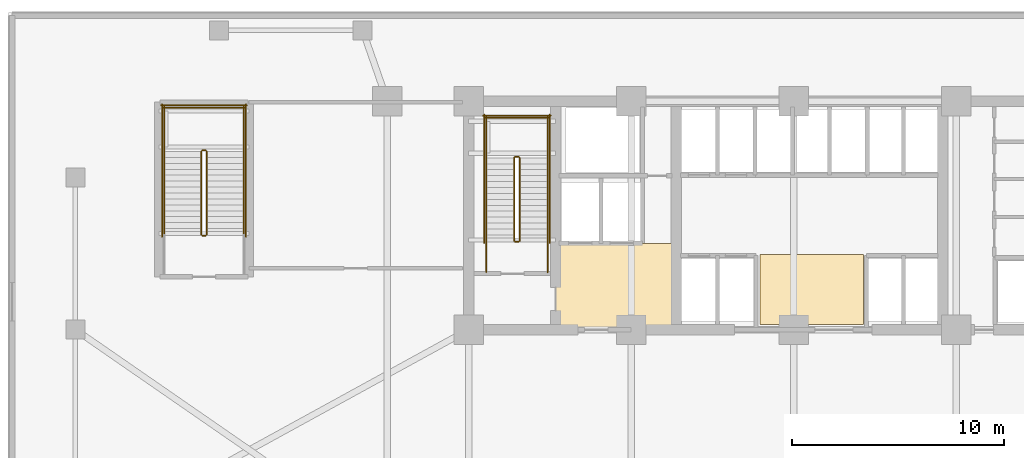
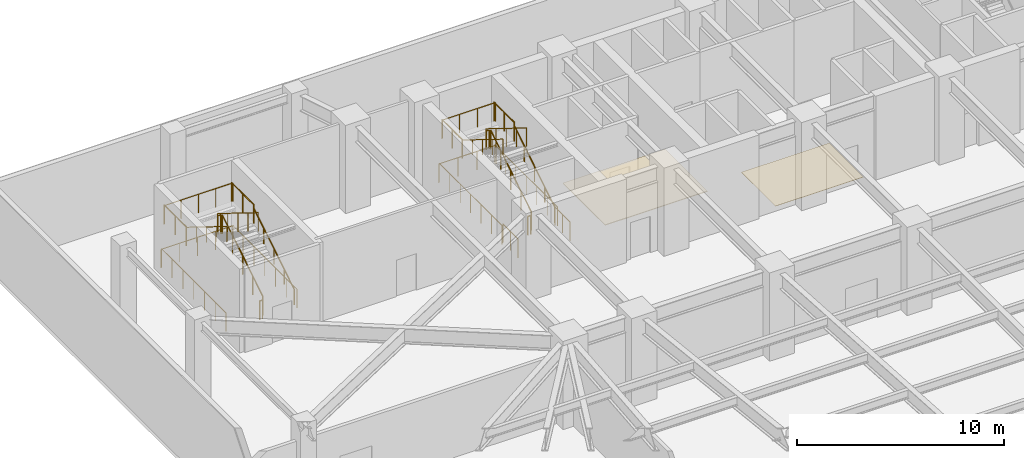
# One storey, part 12 of 15: 26 railings, 2 coverings.
"""IFC4 building model written with IfcOpenShell, lengths in metres."""

from ifc_helpers import new_model, si_unit, direction, frame, origin, origin_2d, place, context, subcontext, project, spatial, polyline, circle, outline, extrude, material, layer, layer_set, type_object, element, save


model = new_model("IFC4")

# Units and contexts
model_context = context("Model", 3, precision=1e-05, world=origin(), true_north=direction((0.0, 1.0)))
body_context = subcontext(model_context, "Body", "Model", "MODEL_VIEW")
ifc_project = project(units=[si_unit("LENGTHUNIT", "METRE"), si_unit("AREAUNIT", "SQUARE_METRE"), si_unit("VOLUMEUNIT", "CUBIC_METRE"), si_unit("PLANEANGLEUNIT", "RADIAN"), si_unit("MASSUNIT", "GRAM", prefix="KILO")], contexts=[model_context])

# Site, building, storey
site_placement = place(None, origin())
site = spatial("IfcSite", under=ifc_project, at=site_placement, CompositionType="ELEMENT")
building_placement = place(site_placement, origin())
building = spatial("IfcBuilding", under=site, at=building_placement, Name="Yelkora Congress Tower", CompositionType="ELEMENT")
storey_placement = place(building_placement, frame((0.0, 0.0, 10.39990234375)))
storey = spatial("IfcBuildingStorey", under=building, at=storey_placement, Name="L02", CompositionType="ELEMENT", Elevation=10.39990234375)

# Coverings
ifc_material_1 = material(Name="Perforated mineral-fibre acoustic ceiling", Category="gypsum")
ifc_layer_1 = layer(ifc_material_1, 0.0400390625)
ifc_layer_set_1 = layer_set([ifc_layer_1], Name="Perforated mineral-fibre acoustic ceiling")
covering_type_1 = type_object("IfcCoveringType", Name="COV-CEIL-ACOUSTIC-40", PredefinedType="CEILING", material=ifc_layer_set_1)
covering_1_placement = place(storey_placement, frame((0.0, 0.0, 2.400146484375)))
element("IfcCovering", 1, at=covering_1_placement, inside=storey, type_object=covering_type_1, Name="L02 Firefighting Lobby Acoustic Ceiling", PredefinedType="CEILING", context=body_context, shape_type="SweptSolid", body=[
    extrude(outline(polyline([(27.14990234375, 35.39990234375), (32.85009765625, 35.39990234375), (32.85009765625, 39.47998046875), (27.14990234375, 39.47998046875), (27.14990234375, 35.39990234375)])), origin(), (0.0, 0.0, 1.0), 0.0400390625),
])
ifc_material_2 = material(Name="Polished Anatolian grey granite tile", Category="masonry")
ifc_layer_2 = layer(ifc_material_2, 0.02001953125)
ifc_layer_set_2 = layer_set([ifc_layer_2], Name="Polished Anatolian grey granite tile")
covering_type_2 = type_object("IfcCoveringType", Name="COV-FLOOR-GRANITE-20", PredefinedType="FLOORING", material=ifc_layer_set_2)
covering_2_placement = place(storey_placement, origin())
element("IfcCovering", 2, at=covering_2_placement, inside=storey, type_object=covering_type_2, Name="L02 Lift Lobby Granite Flooring", PredefinedType="FLOORING", context=body_context, shape_type="SweptSolid", body=[
    extrude(outline(polyline([(36.800048828125, 35.64990234375), (41.699951171875, 35.64990234375), (41.699951171875, 38.949951171875), (36.800048828125, 38.949951171875), (36.800048828125, 35.64990234375)])), origin(), (0.0, 0.0, 1.0), 0.02001953125),
])

# Railings
ifc_material_3 = material(Name="Painted galvanised steel stair well guard with vertical infill", Category="steel")
ifc_layer_3 = layer(ifc_material_3, 0.06005859375)
ifc_layer_set_3 = layer_set([ifc_layer_3], Name="Painted galvanised steel stair well guard with vertical infill")
railing_type_1 = type_object("IfcRailingType", Name="RAIL-STAIR-GUARD-1120", PredefinedType="GUARDRAIL", material=ifc_layer_set_3)
railing_1_placement = place(storey_placement, frame((25.449951171875, 39.60009765625, 0.17333984375)))
element("IfcRailing", 3, at=railing_1_placement, inside=storey, type_object=railing_type_1, Name="ST-01 L02 Stair Well Guardrail 1", PredefinedType="GUARDRAIL", context=body_context, shape_type="SweptSolid", body=[
    extrude(circle(Radius=0.02392578125, at=origin_2d()), frame((0.0, 0.0, 1.09619140625), z_axis=(0.0, 0.850251603719, 0.526376491091), x_axis=(-1.0, 0.0, 0.0)), (0.0, 0.0, 1.0), 4.6103515625),
    extrude(circle(Radius=0.02099609375, at=origin_2d()), origin(), (0.0, 0.0, 1.0), 1.072021484375),
    extrude(circle(Radius=0.02099609375, at=origin_2d()), frame((0.0, 0.97998046875, 0.606689453125)), (0.0, 0.0, 1.0), 1.072021484375),
    extrude(circle(Radius=0.02099609375, at=origin_2d()), frame((0.0, 1.9599609375, 1.21337890625)), (0.0, 0.0, 1.0), 1.072021484375),
    extrude(circle(Radius=0.02099609375, at=origin_2d()), frame((0.0, 2.93994140625, 1.820068359375)), (0.0, 0.0, 1.0), 1.072021484375),
    extrude(circle(Radius=0.02099609375, at=origin_2d()), frame((0.0, 3.919921875, 2.4267578125)), (0.0, 0.0, 1.0), 1.072021484375),
])
railing_2_placement = place(storey_placement, frame((25.39990234375, 43.570068359375, 2.60009765625)))
element("IfcRailing", 4, at=railing_2_placement, inside=storey, type_object=railing_type_1, Name="ST-01 L02 Stair Well Guardrail 2", PredefinedType="GUARDRAIL", context=body_context, shape_type="SweptSolid", body=[
    extrude(circle(Radius=0.02392578125, at=origin_2d()), frame((0.0, 0.0, 1.09619140625), z_axis=(-1.0, 0.0, 0.0), x_axis=(0.0, -1.0, 0.0)), (0.0, 0.0, 1.0), 0.159912109375),
    extrude(circle(Radius=0.02099609375, at=origin_2d()), origin(), (0.0, 0.0, 1.0), 1.072021484375),
    extrude(circle(Radius=0.02099609375, at=origin_2d()), frame((-0.159912109375, 0.0, 0.0)), (0.0, 0.0, 1.0), 1.072021484375),
])
for number, where, name in (
    (5, (26.77001953125, 43.52001953125, 2.60009765625), "ST-01 L02 Stair Well Guardrail 3"),
    (6, (23.8701171875, 43.52001953125, 2.60009765625), "ST-01 L02 Stair Well Guardrail 4"),
):
    element("IfcRailing", number, at=place(storey_placement, frame(where)), inside=storey, type_object=railing_type_1, Name=name, PredefinedType="GUARDRAIL", context=body_context, shape_type="SweptSolid", body=[
        extrude(circle(Radius=0.02392578125, at=origin_2d()), frame((0.0, 0.0, 1.09619140625), z_axis=(0.0, 1.0, 0.0), x_axis=(-1.0, 0.0, 0.0)), (0.0, 0.0, 1.0), 1.949951171875),
        extrude(circle(Radius=0.02099609375, at=origin_2d()), origin(), (0.0, 0.0, 1.0), 1.072021484375),
        extrude(circle(Radius=0.02099609375, at=origin_2d()), frame((0.0, 0.97509765625, 0.0)), (0.0, 0.0, 1.0), 1.072021484375),
        extrude(circle(Radius=0.02099609375, at=origin_2d()), frame((0.0, 1.949951171875, 0.0)), (0.0, 0.0, 1.0), 1.072021484375),
    ])
railing_3_placement = place(storey_placement, frame((26.820068359375, 45.419921875, 2.60009765625)))
element("IfcRailing", 7, at=railing_3_placement, inside=storey, type_object=railing_type_1, Name="ST-01 L02 Stair Well Guardrail 5", PredefinedType="GUARDRAIL", context=body_context, shape_type="SweptSolid", body=[
    extrude(circle(Radius=0.02392578125, at=origin_2d()), frame((0.0, 0.0, 1.09619140625), z_axis=(-1.0, 0.0, 0.0), x_axis=(0.0, -1.0, 0.0)), (0.0, 0.0, 1.0), 3.0),
    extrude(circle(Radius=0.02099609375, at=origin_2d()), origin(), (0.0, 0.0, 1.0), 1.072021484375),
    extrude(circle(Radius=0.02099609375, at=origin_2d()), frame((-1.0, 0.0, 0.0)), (0.0, 0.0, 1.0), 1.072021484375),
    extrude(circle(Radius=0.02099609375, at=origin_2d()), frame((-2.0, 0.0, 0.0)), (0.0, 0.0, 1.0), 1.072021484375),
    extrude(circle(Radius=0.02099609375, at=origin_2d()), frame((-3.0, 0.0, 0.0)), (0.0, 0.0, 1.0), 1.072021484375),
])
railing_4_placement = place(storey_placement, frame((25.18994140625, 43.52001953125, 2.7734375)))
element("IfcRailing", 8, at=railing_4_placement, inside=storey, type_object=railing_type_1, Name="ST-01 L02 Stair Well Guardrail 6", PredefinedType="GUARDRAIL", context=body_context, shape_type="SweptSolid", body=[
    extrude(circle(Radius=0.02392578125, at=origin_2d()), frame((0.0, 0.0, 1.09619140625), z_axis=(0.0, -0.850251603719, 0.526376491091), x_axis=(1.0, 0.0, 0.0)), (0.0, 0.0, 1.0), 4.6103515625),
    extrude(circle(Radius=0.02099609375, at=origin_2d()), origin(), (0.0, 0.0, 1.0), 1.072021484375),
    extrude(circle(Radius=0.02099609375, at=origin_2d()), frame((0.0, -0.97998046875, 0.606689453125)), (0.0, 0.0, 1.0), 1.072021484375),
    extrude(circle(Radius=0.02099609375, at=origin_2d()), frame((0.0, -1.9599609375, 1.21337890625)), (0.0, 0.0, 1.0), 1.072021484375),
    extrude(circle(Radius=0.02099609375, at=origin_2d()), frame((0.0, -2.93994140625, 1.820068359375)), (0.0, 0.0, 1.0), 1.072021484375),
    extrude(circle(Radius=0.02099609375, at=origin_2d()), frame((0.0, -3.919921875, 2.4267578125)), (0.0, 0.0, 1.0), 1.072021484375),
])
railing_5_placement = place(storey_placement, frame((25.39990234375, 39.550048828125, 0.0)))
element("IfcRailing", 9, at=railing_5_placement, inside=storey, type_object=railing_type_1, Name="ST-01 L02 Stair Well Guardrail 7", PredefinedType="GUARDRAIL", context=body_context, shape_type="SweptSolid", body=[
    extrude(circle(Radius=0.02392578125, at=origin_2d()), frame((0.0, 0.0, 1.09619140625), z_axis=(-1.0, 0.0, 0.0), x_axis=(0.0, -1.0, 0.0)), (0.0, 0.0, 1.0), 0.159912109375),
    extrude(circle(Radius=0.02099609375, at=origin_2d()), origin(), (0.0, 0.0, 1.0), 1.072021484375),
    extrude(circle(Radius=0.02099609375, at=origin_2d()), frame((-0.159912109375, 0.0, 0.0)), (0.0, 0.0, 1.0), 1.072021484375),
])
for number, where, name in (
    (10, (26.77001953125, 38.1201171875, 0.0), "ST-01 L02 Stair Well Guardrail 8"),
    (11, (23.8701171875, 38.1201171875, 0.0), "ST-01 L02 Stair Well Guardrail 9"),
):
    element("IfcRailing", number, at=place(storey_placement, frame(where)), inside=storey, type_object=railing_type_1, Name=name, PredefinedType="GUARDRAIL", context=body_context, shape_type="SweptSolid", body=[
        extrude(circle(Radius=0.02392578125, at=origin_2d()), frame((0.0, 0.0, 1.09619140625), z_axis=(0.0, 1.0, 0.0), x_axis=(-1.0, 0.0, 0.0)), (0.0, 0.0, 1.0), 1.47998046875),
        extrude(circle(Radius=0.02099609375, at=origin_2d()), origin(), (0.0, 0.0, 1.0), 1.072021484375),
        extrude(circle(Radius=0.02099609375, at=origin_2d()), frame((0.0, 0.739990234375, 0.0)), (0.0, 0.0, 1.0), 1.072021484375),
        extrude(circle(Radius=0.02099609375, at=origin_2d()), frame((0.0, 1.47998046875, 0.0)), (0.0, 0.0, 1.0), 1.072021484375),
    ])
for number, where, name in (
    (12, (26.8701171875, 39.5, 0.0), "ST-01 L02 Stair Well Guardrail 10"),
    (13, (23.77001953125, 39.5, 0.0), "ST-01 L02 Stair Well Guardrail 11"),
):
    element("IfcRailing", number, at=place(storey_placement, frame(where)), inside=storey, type_object=railing_type_1, Name=name, PredefinedType="GUARDRAIL", context=body_context, shape_type="SweptSolid", body=[
        extrude(circle(Radius=0.02392578125, at=origin_2d()), frame((0.0, 0.0, 1.09619140625), z_axis=(0.0, 1.0, 0.0), x_axis=(-1.0, 0.0, 0.0)), (0.0, 0.0, 1.0), 6.070068359375),
        extrude(circle(Radius=0.02099609375, at=origin_2d()), origin(), (0.0, 0.0, 1.0), 1.072021484375),
        extrude(circle(Radius=0.02099609375, at=origin_2d()), frame((0.0, 1.01171875, 0.0)), (0.0, 0.0, 1.0), 1.072021484375),
        extrude(circle(Radius=0.02099609375, at=origin_2d()), frame((0.0, 2.0234375, 0.0)), (0.0, 0.0, 1.0), 1.072021484375),
        extrude(circle(Radius=0.02099609375, at=origin_2d()), frame((0.0, 3.03515625, 0.0)), (0.0, 0.0, 1.0), 1.072021484375),
        extrude(circle(Radius=0.02099609375, at=origin_2d()), frame((0.0, 4.046630859375, 0.0)), (0.0, 0.0, 1.0), 1.072021484375),
        extrude(circle(Radius=0.02099609375, at=origin_2d()), frame((0.0, 5.058349609375, 0.0)), (0.0, 0.0, 1.0), 1.072021484375),
        extrude(circle(Radius=0.02099609375, at=origin_2d()), frame((0.0, 6.070068359375, 0.0)), (0.0, 0.0, 1.0), 1.072021484375),
    ])
railing_6_placement = place(storey_placement, frame((26.919921875, 45.52001953125, 0.0)))
element("IfcRailing", 14, at=railing_6_placement, inside=storey, type_object=railing_type_1, Name="ST-01 L02 Stair Well Guardrail 12", PredefinedType="GUARDRAIL", context=body_context, shape_type="SweptSolid", body=[
    extrude(circle(Radius=0.02392578125, at=origin_2d()), frame((0.0, 0.0, 1.09619140625), z_axis=(-1.0, 0.0, 0.0), x_axis=(0.0, -1.0, 0.0)), (0.0, 0.0, 1.0), 3.199951171875),
    extrude(circle(Radius=0.02099609375, at=origin_2d()), origin(), (0.0, 0.0, 1.0), 1.072021484375),
    extrude(circle(Radius=0.02099609375, at=origin_2d()), frame((-1.066650390625, 0.0, 0.0)), (0.0, 0.0, 1.0), 1.072021484375),
    extrude(circle(Radius=0.02099609375, at=origin_2d()), frame((-2.13330078125, 0.0, 0.0)), (0.0, 0.0, 1.0), 1.072021484375),
    extrude(circle(Radius=0.02099609375, at=origin_2d()), frame((-3.199951171875, 0.0, 0.0)), (0.0, 0.0, 1.0), 1.072021484375),
])
railing_7_placement = place(storey_placement, frame((10.659912109375, 39.89990234375, 0.17333984375)))
element("IfcRailing", 15, at=railing_7_placement, inside=storey, type_object=railing_type_1, Name="ST-P1 L02 Stair Well Guardrail 1", PredefinedType="GUARDRAIL", context=body_context, shape_type="SweptSolid", body=[
    extrude(circle(Radius=0.02392578125, at=origin_2d()), frame((0.0, 0.0, 1.09619140625), z_axis=(0.0, 0.850266275192, 0.526352791643), x_axis=(-1.0, 0.0, 0.0)), (0.0, 0.0, 1.0), 4.610595703125),
    extrude(circle(Radius=0.02099609375, at=origin_2d()), origin(), (0.0, 0.0, 1.0), 1.072021484375),
    extrude(circle(Radius=0.02099609375, at=origin_2d()), frame((0.0, 0.97998046875, 0.606689453125)), (0.0, 0.0, 1.0), 1.072021484375),
    extrude(circle(Radius=0.02099609375, at=origin_2d()), frame((0.0, 1.9599609375, 1.21337890625)), (0.0, 0.0, 1.0), 1.072021484375),
    extrude(circle(Radius=0.02099609375, at=origin_2d()), frame((0.0, 2.940185546875, 1.820068359375)), (0.0, 0.0, 1.0), 1.072021484375),
    extrude(circle(Radius=0.02099609375, at=origin_2d()), frame((0.0, 3.920166015625, 2.4267578125)), (0.0, 0.0, 1.0), 1.072021484375),
])
railing_8_placement = place(storey_placement, frame((10.610107421875, 43.8701171875, 2.60009765625)))
element("IfcRailing", 16, at=railing_8_placement, inside=storey, type_object=railing_type_1, Name="ST-P1 L02 Stair Well Guardrail 2", PredefinedType="GUARDRAIL", context=body_context, shape_type="SweptSolid", body=[
    extrude(circle(Radius=0.02392578125, at=origin_2d()), frame((0.0, 0.0, 1.09619140625), z_axis=(-1.0, 0.0, 0.0), x_axis=(0.0, -1.0, 0.0)), (0.0, 0.0, 1.0), 0.16015625),
    extrude(circle(Radius=0.02099609375, at=origin_2d()), origin(), (0.0, 0.0, 1.0), 1.072021484375),
    extrude(circle(Radius=0.02099609375, at=origin_2d()), frame((-0.16015625, 0.0, 0.0)), (0.0, 0.0, 1.0), 1.072021484375),
])
for number, where, name in (
    (17, (12.409912109375, 43.820068359375, 2.60009765625), "ST-P1 L02 Stair Well Guardrail 3"),
    (18, (8.64990234375, 43.820068359375, 2.60009765625), "ST-P1 L02 Stair Well Guardrail 4"),
):
    element("IfcRailing", number, at=place(storey_placement, frame(where)), inside=storey, type_object=railing_type_1, Name=name, PredefinedType="GUARDRAIL", context=body_context, shape_type="SweptSolid", body=[
        extrude(circle(Radius=0.02392578125, at=origin_2d()), frame((0.0, 0.0, 1.09619140625), z_axis=(0.0, 1.0, 0.0), x_axis=(-1.0, 0.0, 0.0)), (0.0, 0.0, 1.0), 2.1298828125),
        extrude(circle(Radius=0.02099609375, at=origin_2d()), origin(), (0.0, 0.0, 1.0), 1.072021484375),
        extrude(circle(Radius=0.02099609375, at=origin_2d()), frame((0.0, 1.06494140625, 0.0)), (0.0, 0.0, 1.0), 1.072021484375),
        extrude(circle(Radius=0.02099609375, at=origin_2d()), frame((0.0, 2.1298828125, 0.0)), (0.0, 0.0, 1.0), 1.072021484375),
    ])
railing_9_placement = place(storey_placement, frame((12.4599609375, 45.89990234375, 2.60009765625)))
element("IfcRailing", 19, at=railing_9_placement, inside=storey, type_object=railing_type_1, Name="ST-P1 L02 Stair Well Guardrail 5", PredefinedType="GUARDRAIL", context=body_context, shape_type="SweptSolid", body=[
    extrude(circle(Radius=0.02392578125, at=origin_2d()), frame((0.0, 0.0, 1.09619140625), z_axis=(-1.0, 0.0, 0.0), x_axis=(0.0, -1.0, 0.0)), (0.0, 0.0, 1.0), 3.85986328125),
    extrude(circle(Radius=0.02099609375, at=origin_2d()), origin(), (0.0, 0.0, 1.0), 1.072021484375),
    extrude(circle(Radius=0.02099609375, at=origin_2d()), frame((-0.96484375, 0.0, 0.0)), (0.0, 0.0, 1.0), 1.072021484375),
    extrude(circle(Radius=0.02099609375, at=origin_2d()), frame((-1.929931640625, 0.0, 0.0)), (0.0, 0.0, 1.0), 1.072021484375),
    extrude(circle(Radius=0.02099609375, at=origin_2d()), frame((-2.89501953125, 0.0, 0.0)), (0.0, 0.0, 1.0), 1.072021484375),
    extrude(circle(Radius=0.02099609375, at=origin_2d()), frame((-3.85986328125, 0.0, 0.0)), (0.0, 0.0, 1.0), 1.072021484375),
])
railing_10_placement = place(storey_placement, frame((10.39990234375, 43.820068359375, 2.7734375)))
element("IfcRailing", 20, at=railing_10_placement, inside=storey, type_object=railing_type_1, Name="ST-P1 L02 Stair Well Guardrail 6", PredefinedType="GUARDRAIL", context=body_context, shape_type="SweptSolid", body=[
    extrude(circle(Radius=0.02392578125, at=origin_2d()), frame((0.0, 0.0, 1.09619140625), z_axis=(0.0, -0.850266275192, 0.526352791643), x_axis=(1.0, 0.0, 0.0)), (0.0, 0.0, 1.0), 4.610595703125),
    extrude(circle(Radius=0.02099609375, at=origin_2d()), origin(), (0.0, 0.0, 1.0), 1.072021484375),
    extrude(circle(Radius=0.02099609375, at=origin_2d()), frame((0.0, -0.97998046875, 0.606689453125)), (0.0, 0.0, 1.0), 1.072021484375),
    extrude(circle(Radius=0.02099609375, at=origin_2d()), frame((0.0, -1.9599609375, 1.21337890625)), (0.0, 0.0, 1.0), 1.072021484375),
    extrude(circle(Radius=0.02099609375, at=origin_2d()), frame((0.0, -2.940185546875, 1.820068359375)), (0.0, 0.0, 1.0), 1.072021484375),
    extrude(circle(Radius=0.02099609375, at=origin_2d()), frame((0.0, -3.920166015625, 2.4267578125)), (0.0, 0.0, 1.0), 1.072021484375),
])
railing_11_placement = place(storey_placement, frame((10.610107421875, 39.85009765625, 0.0)))
element("IfcRailing", 21, at=railing_11_placement, inside=storey, type_object=railing_type_1, Name="ST-P1 L02 Stair Well Guardrail 7", PredefinedType="GUARDRAIL", context=body_context, shape_type="SweptSolid", body=[
    extrude(circle(Radius=0.02392578125, at=origin_2d()), frame((0.0, 0.0, 1.09619140625), z_axis=(-1.0, 0.0, 0.0), x_axis=(0.0, -1.0, 0.0)), (0.0, 0.0, 1.0), 0.16015625),
    extrude(circle(Radius=0.02099609375, at=origin_2d()), origin(), (0.0, 0.0, 1.0), 1.072021484375),
    extrude(circle(Radius=0.02099609375, at=origin_2d()), frame((-0.16015625, 0.0, 0.0)), (0.0, 0.0, 1.0), 1.072021484375),
])
for number, where, name in (
    (22, (12.510009765625, 39.800048828125, 0.0), "ST-P1 L02 Stair Well Guardrail 10"),
    (23, (8.550048828125, 39.800048828125, 0.0), "ST-P1 L02 Stair Well Guardrail 11"),
):
    element("IfcRailing", number, at=place(storey_placement, frame(where)), inside=storey, type_object=railing_type_1, Name=name, PredefinedType="GUARDRAIL", context=body_context, shape_type="SweptSolid", body=[
        extrude(circle(Radius=0.02392578125, at=origin_2d()), frame((0.0, 0.0, 1.09619140625), z_axis=(0.0, 1.0, 0.0), x_axis=(-1.0, 0.0, 0.0)), (0.0, 0.0, 1.0), 6.25),
        extrude(circle(Radius=0.02099609375, at=origin_2d()), origin(), (0.0, 0.0, 1.0), 1.072021484375),
        extrude(circle(Radius=0.02099609375, at=origin_2d()), frame((0.0, 1.041748046875, 0.0)), (0.0, 0.0, 1.0), 1.072021484375),
        extrude(circle(Radius=0.02099609375, at=origin_2d()), frame((0.0, 2.083251953125, 0.0)), (0.0, 0.0, 1.0), 1.072021484375),
        extrude(circle(Radius=0.02099609375, at=origin_2d()), frame((0.0, 3.125, 0.0)), (0.0, 0.0, 1.0), 1.072021484375),
        extrude(circle(Radius=0.02099609375, at=origin_2d()), frame((0.0, 4.166748046875, 0.0)), (0.0, 0.0, 1.0), 1.072021484375),
        extrude(circle(Radius=0.02099609375, at=origin_2d()), frame((0.0, 5.208251953125, 0.0)), (0.0, 0.0, 1.0), 1.072021484375),
        extrude(circle(Radius=0.02099609375, at=origin_2d()), frame((0.0, 6.25, 0.0)), (0.0, 0.0, 1.0), 1.072021484375),
    ])
railing_12_placement = place(storey_placement, frame((12.56005859375, 46.0, 0.0)))
element("IfcRailing", 24, at=railing_12_placement, inside=storey, type_object=railing_type_1, Name="ST-P1 L02 Stair Well Guardrail 12", PredefinedType="GUARDRAIL", context=body_context, shape_type="SweptSolid", body=[
    extrude(circle(Radius=0.02392578125, at=origin_2d()), frame((0.0, 0.0, 1.09619140625), z_axis=(-1.0, 0.0, 0.0), x_axis=(0.0, -1.0, 0.0)), (0.0, 0.0, 1.0), 4.06005859375),
    extrude(circle(Radius=0.02099609375, at=origin_2d()), origin(), (0.0, 0.0, 1.0), 1.072021484375),
    extrude(circle(Radius=0.02099609375, at=origin_2d()), frame((-1.01513671875, 0.0, 0.0)), (0.0, 0.0, 1.0), 1.072021484375),
    extrude(circle(Radius=0.02099609375, at=origin_2d()), frame((-2.030029296875, 0.0, 0.0)), (0.0, 0.0, 1.0), 1.072021484375),
    extrude(circle(Radius=0.02099609375, at=origin_2d()), frame((-3.044921875, 0.0, 0.0)), (0.0, 0.0, 1.0), 1.072021484375),
    extrude(circle(Radius=0.02099609375, at=origin_2d()), frame((-4.06005859375, 0.0, 0.0)), (0.0, 0.0, 1.0), 1.072021484375),
])
ifc_material_4 = material(Name="Brushed stainless steel tubular handrail", Category="steel")
ifc_layer_4 = layer(ifc_material_4, 0.050048828125)
ifc_layer_set_4 = layer_set([ifc_layer_4], Name="Brushed stainless steel tubular handrail")
railing_type_2 = type_object("IfcRailingType", Name="RAIL-STAIR-HAND-920", PredefinedType="HANDRAIL", material=ifc_layer_set_4)
railing_13_placement = place(storey_placement, frame((26.77001953125, 39.60009765625, 0.17333984375)))
element("IfcRailing", 25, at=railing_13_placement, inside=storey, type_object=railing_type_2, Name="ST-01 L02 Pitch Handrail 1", PredefinedType="HANDRAIL", context=body_context, shape_type="SweptSolid", body=[
    extrude(circle(Radius=0.02392578125, at=origin_2d()), frame((0.0, 0.0, 0.89599609375), z_axis=(0.0, 0.850251603719, 0.526376491091), x_axis=(-1.0, 0.0, 0.0)), (0.0, 0.0, 1.0), 4.6103515625),
    extrude(circle(Radius=0.02099609375, at=origin_2d()), origin(), (0.0, 0.0, 1.0), 0.871826171875),
    extrude(circle(Radius=0.02099609375, at=origin_2d()), frame((0.0, 0.97998046875, 0.606689453125)), (0.0, 0.0, 1.0), 0.871826171875),
    extrude(circle(Radius=0.02099609375, at=origin_2d()), frame((0.0, 1.9599609375, 1.21337890625)), (0.0, 0.0, 1.0), 0.871826171875),
    extrude(circle(Radius=0.02099609375, at=origin_2d()), frame((0.0, 2.93994140625, 1.820068359375)), (0.0, 0.0, 1.0), 0.871826171875),
    extrude(circle(Radius=0.02099609375, at=origin_2d()), frame((0.0, 3.919921875, 2.4267578125)), (0.0, 0.0, 1.0), 0.871826171875),
])
railing_14_placement = place(storey_placement, frame((23.8701171875, 43.52001953125, 2.7734375)))
element("IfcRailing", 26, at=railing_14_placement, inside=storey, type_object=railing_type_2, Name="ST-01 L02 Pitch Handrail 2", PredefinedType="HANDRAIL", context=body_context, shape_type="SweptSolid", body=[
    extrude(circle(Radius=0.02392578125, at=origin_2d()), frame((0.0, 0.0, 0.89599609375), z_axis=(0.0, -0.850251603719, 0.526376491091), x_axis=(1.0, 0.0, 0.0)), (0.0, 0.0, 1.0), 4.6103515625),
    extrude(circle(Radius=0.02099609375, at=origin_2d()), origin(), (0.0, 0.0, 1.0), 0.871826171875),
    extrude(circle(Radius=0.02099609375, at=origin_2d()), frame((0.0, -0.97998046875, 0.606689453125)), (0.0, 0.0, 1.0), 0.871826171875),
    extrude(circle(Radius=0.02099609375, at=origin_2d()), frame((0.0, -1.9599609375, 1.21337890625)), (0.0, 0.0, 1.0), 0.871826171875),
    extrude(circle(Radius=0.02099609375, at=origin_2d()), frame((0.0, -2.93994140625, 1.820068359375)), (0.0, 0.0, 1.0), 0.871826171875),
    extrude(circle(Radius=0.02099609375, at=origin_2d()), frame((0.0, -3.919921875, 2.4267578125)), (0.0, 0.0, 1.0), 0.871826171875),
])
railing_15_placement = place(storey_placement, frame((12.409912109375, 39.89990234375, 0.17333984375)))
element("IfcRailing", 27, at=railing_15_placement, inside=storey, type_object=railing_type_2, Name="ST-P1 L02 Pitch Handrail 1", PredefinedType="HANDRAIL", context=body_context, shape_type="SweptSolid", body=[
    extrude(circle(Radius=0.02392578125, at=origin_2d()), frame((0.0, 0.0, 0.89599609375), z_axis=(0.0, 0.850266275192, 0.526352791643), x_axis=(-1.0, 0.0, 0.0)), (0.0, 0.0, 1.0), 4.610595703125),
    extrude(circle(Radius=0.02099609375, at=origin_2d()), origin(), (0.0, 0.0, 1.0), 0.871826171875),
    extrude(circle(Radius=0.02099609375, at=origin_2d()), frame((0.0, 0.97998046875, 0.606689453125)), (0.0, 0.0, 1.0), 0.871826171875),
    extrude(circle(Radius=0.02099609375, at=origin_2d()), frame((0.0, 1.9599609375, 1.21337890625)), (0.0, 0.0, 1.0), 0.871826171875),
    extrude(circle(Radius=0.02099609375, at=origin_2d()), frame((0.0, 2.940185546875, 1.820068359375)), (0.0, 0.0, 1.0), 0.871826171875),
    extrude(circle(Radius=0.02099609375, at=origin_2d()), frame((0.0, 3.920166015625, 2.4267578125)), (0.0, 0.0, 1.0), 0.871826171875),
])
railing_16_placement = place(storey_placement, frame((8.64990234375, 43.820068359375, 2.7734375)))
element("IfcRailing", 28, at=railing_16_placement, inside=storey, type_object=railing_type_2, Name="ST-P1 L02 Pitch Handrail 2", PredefinedType="HANDRAIL", context=body_context, shape_type="SweptSolid", body=[
    extrude(circle(Radius=0.02392578125, at=origin_2d()), frame((0.0, 0.0, 0.89599609375), z_axis=(0.0, -0.850266275192, 0.526352791643), x_axis=(1.0, 0.0, 0.0)), (0.0, 0.0, 1.0), 4.610595703125),
    extrude(circle(Radius=0.02099609375, at=origin_2d()), origin(), (0.0, 0.0, 1.0), 0.871826171875),
    extrude(circle(Radius=0.02099609375, at=origin_2d()), frame((0.0, -0.97998046875, 0.606689453125)), (0.0, 0.0, 1.0), 0.871826171875),
    extrude(circle(Radius=0.02099609375, at=origin_2d()), frame((0.0, -1.9599609375, 1.21337890625)), (0.0, 0.0, 1.0), 0.871826171875),
    extrude(circle(Radius=0.02099609375, at=origin_2d()), frame((0.0, -2.940185546875, 1.820068359375)), (0.0, 0.0, 1.0), 0.871826171875),
    extrude(circle(Radius=0.02099609375, at=origin_2d()), frame((0.0, -3.920166015625, 2.4267578125)), (0.0, 0.0, 1.0), 0.871826171875),
])

save(model, "model.ifc")
